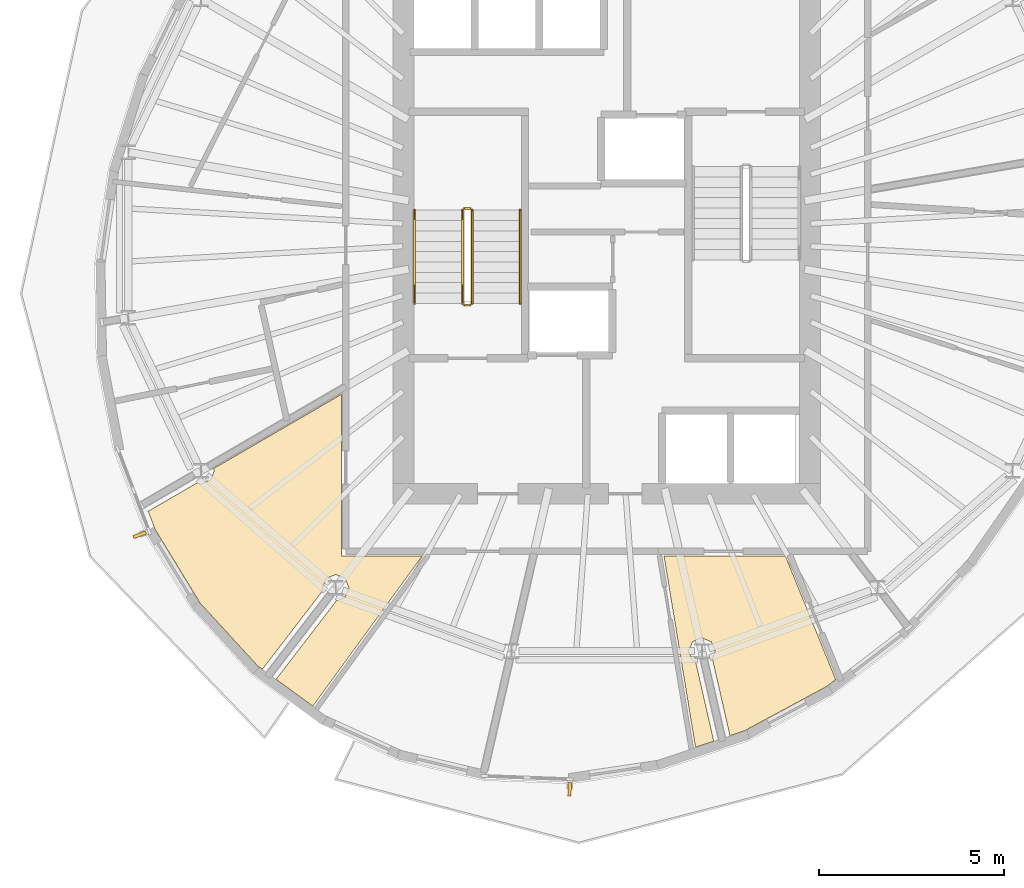
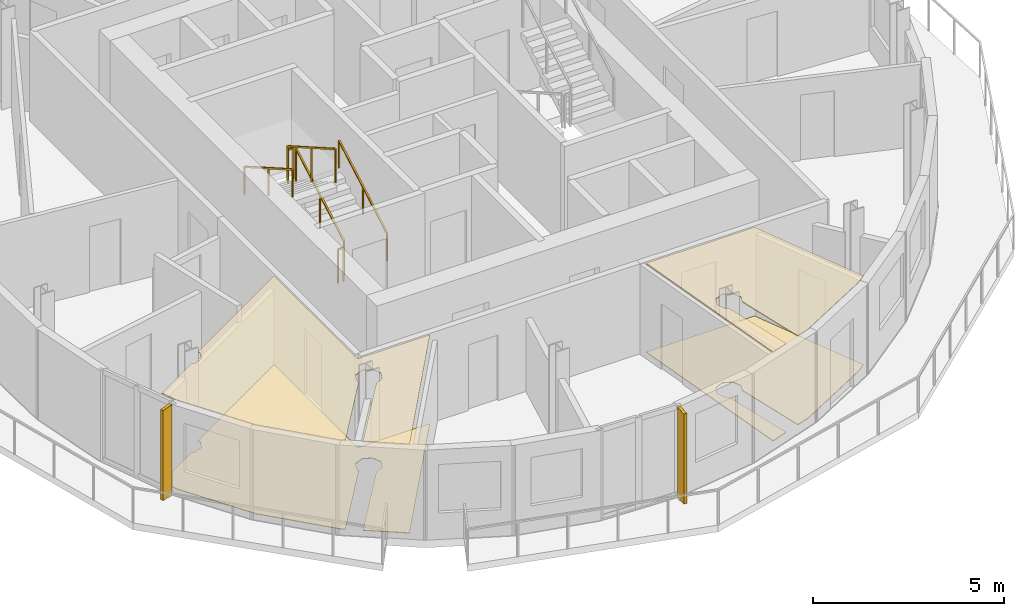
# One storey, part 8 of 11: 6 railings, 4 coverings, 2 shading devices.
"""IFC4 building model written with IfcOpenShell, lengths in metres."""

from ifc_helpers import new_model, si_unit, direction, frame, origin, origin_2d, place, context, subcontext, project, spatial, polyline, rectangle, outline, extrude, material, layer, layer_set, type_object, element, save


model = new_model("IFC4")

# Units and contexts
model_context = context("Model", 3, precision=1e-05, world=origin(), true_north=direction((0.0, 1.0)))
body_context = subcontext(model_context, "Body", "Model", "MODEL_VIEW")
ifc_project = project(units=[si_unit("LENGTHUNIT", "METRE"), si_unit("AREAUNIT", "SQUARE_METRE"), si_unit("VOLUMEUNIT", "CUBIC_METRE"), si_unit("PLANEANGLEUNIT", "RADIAN"), si_unit("MASSUNIT", "GRAM", prefix="KILO")], contexts=[model_context])

# Site, building, storey
site_placement = place(None, origin())
site = spatial("IfcSite", under=ifc_project, at=site_placement, CompositionType="ELEMENT")
building_placement = place(site_placement, origin())
building = spatial("IfcBuilding", under=site, at=building_placement, Name="Veldorim Arch Residences", CompositionType="ELEMENT")
storey_placement = place(building_placement, frame((0.0, 0.0, 239.840087890625)))
storey = spatial("IfcBuildingStorey", under=building, at=storey_placement, Name="L72", CompositionType="ELEMENT", Elevation=239.840087890625)

# Railings
ifc_material_1 = material(Name="Steel S355", Category="steel")
railing_type_1 = type_object("IfcRailingType", Name="Galvanised Steel Stair Safety Guardrail 1100", PredefinedType="GUARDRAIL", material=ifc_material_1)
railing_1_placement = place(storey_placement, frame((28.360107421875, 22.14990234375, 0.159912109375)))
element("IfcRailing", 1, at=railing_1_placement, inside=storey, type_object=railing_type_1, Name="L72 ST-1 stair guard 1", PredefinedType="GUARDRAIL", context=body_context, shape_type="SweptSolid", body=[
    extrude(rectangle(XDim=0.048095703125, YDim=0.048095703125, at=origin_2d()), frame((0.0, 0.0, 1.076171875), z_axis=(0.0, 0.868253494771, 0.496120820787), x_axis=(-1.0, 0.0, 0.0)), (0.0, 0.0, 1.0), 2.90234375),
    extrude(rectangle(XDim=0.0419921875, YDim=0.0419921875, at=origin_2d()), origin(), (0.0, 0.0, 1.0), 1.052001953125),
    extrude(rectangle(XDim=0.0419921875, YDim=0.0419921875, at=origin_2d()), frame((0.0, 1.260009765625, 0.719970703125)), (0.0, 0.0, 1.0), 1.052001953125),
    extrude(rectangle(XDim=0.0419921875, YDim=0.0419921875, at=origin_2d()), frame((0.0, 2.52001953125, 1.43994140625)), (0.0, 0.0, 1.0), 1.052001953125),
])
railing_2_placement = place(storey_placement, frame((28.31005859375, 24.719970703125, 1.599853515625)))
element("IfcRailing", 2, at=railing_2_placement, inside=storey, type_object=railing_type_1, Name="L72 ST-1 stair guard 2", PredefinedType="GUARDRAIL", context=body_context, shape_type="SweptSolid", body=[
    extrude(rectangle(XDim=0.048095703125, YDim=0.048095703125, at=origin_2d()), frame((0.0, 0.0, 1.076171875), z_axis=(-1.0, 0.0, 0.0), x_axis=(0.0, -1.0, 0.0)), (0.0, 0.0, 1.0), 0.16015625),
    extrude(rectangle(XDim=0.0419921875, YDim=0.0419921875, at=origin_2d()), origin(), (0.0, 0.0, 1.0), 1.052001953125),
    extrude(rectangle(XDim=0.0419921875, YDim=0.0419921875, at=origin_2d()), frame((-0.16015625, 0.0, 0.0)), (0.0, 0.0, 1.0), 1.052001953125),
])
railing_3_placement = place(storey_placement, frame((28.10009765625, 24.669921875, 1.760009765625)))
element("IfcRailing", 3, at=railing_3_placement, inside=storey, type_object=railing_type_1, Name="L72 ST-1 stair guard 3", PredefinedType="GUARDRAIL", context=body_context, shape_type="SweptSolid", body=[
    extrude(rectangle(XDim=0.048095703125, YDim=0.048095703125, at=origin_2d()), frame((0.0, 0.0, 1.076171875), z_axis=(0.0, -0.868253494771, 0.496120820787), x_axis=(1.0, 0.0, 0.0)), (0.0, 0.0, 1.0), 2.90234375),
    extrude(rectangle(XDim=0.0419921875, YDim=0.0419921875, at=origin_2d()), origin(), (0.0, 0.0, 1.0), 1.052001953125),
    extrude(rectangle(XDim=0.0419921875, YDim=0.0419921875, at=origin_2d()), frame((0.0, -1.260009765625, 0.719970703125)), (0.0, 0.0, 1.0), 1.052001953125),
    extrude(rectangle(XDim=0.0419921875, YDim=0.0419921875, at=origin_2d()), frame((0.0, -2.52001953125, 1.43994140625)), (0.0, 0.0, 1.0), 1.052001953125),
])
railing_4_placement = place(storey_placement, frame((28.31005859375, 22.10009765625, 0.0)))
element("IfcRailing", 4, at=railing_4_placement, inside=storey, type_object=railing_type_1, Name="L72 ST-1 stair guard 4", PredefinedType="GUARDRAIL", context=body_context, shape_type="SweptSolid", body=[
    extrude(rectangle(XDim=0.048095703125, YDim=0.048095703125, at=origin_2d()), frame((0.0, 0.0, 1.076171875), z_axis=(-1.0, 0.0, 0.0), x_axis=(0.0, -1.0, 0.0)), (0.0, 0.0, 1.0), 0.16015625),
    extrude(rectangle(XDim=0.0419921875, YDim=0.0419921875, at=origin_2d()), origin(), (0.0, 0.0, 1.0), 1.052001953125),
    extrude(rectangle(XDim=0.0419921875, YDim=0.0419921875, at=origin_2d()), frame((-0.16015625, 0.0, 0.0)), (0.0, 0.0, 1.0), 1.052001953125),
])

# Coverings
ifc_material_2 = material(Name="Acoustic Gypsum & Mineral Fibre", Category="gypsum")
ifc_layer_1 = layer(ifc_material_2, 0.034912109375, Name="Perforated Acoustic Mineral-Fibre Ceiling 35")
ifc_layer_set_1 = layer_set([ifc_layer_1], Name="Acoustic Gypsum & Mineral Fibre")
covering_type_1 = type_object("IfcCoveringType", Name="Perforated Acoustic Mineral-Fibre Ceiling 35", PredefinedType="CEILING", material=ifc_layer_set_1)
covering_1_placement = place(storey_placement, frame((0.0, 0.0, 2.824951171875)))
element("IfcCovering", 5, at=covering_1_placement, inside=storey, type_object=covering_type_1, Name="L72 acoustic suspended ceiling 01", PredefinedType="CEILING", context=body_context, shape_type="SweptSolid", body=[
    extrude(outline(polyline([(24.920654296875, 14.20068359375), (25.02587890625, 14.45458984375), (24.920654296875, 14.708740234375), (24.66650390625, 14.814208984375), (24.412353515625, 14.708740234375), (24.30712890625, 14.45458984375), (24.33154296875, 14.395751953125), (22.683349609375, 12.25048828125), (22.552734375, 12.345703125), (21.00146484375, 14.037841796875), (19.781982421875, 16.032958984375), (19.594970703125, 16.525634765625), (20.930419921875, 17.3017578125), (21.024658203125, 17.2626953125), (21.27880859375, 17.367919921875), (21.384033203125, 17.6220703125), (21.360595703125, 17.6787109375), (24.820068359375, 19.688720703125), (24.820068359375, 15.320068359375), (27.011962890625, 15.320068359375), (24.049560546875, 11.25390625), (23.0546875, 11.9794921875), (24.686279296875, 14.103515625), (24.920654296875, 14.20068359375)])), origin(), (0.0, 0.0, 1.0), 0.034912109375),
])
covering_2_placement = place(storey_placement, frame((0.0, 0.0, 2.824951171875)))
element("IfcCovering", 6, at=covering_2_placement, inside=storey, type_object=covering_type_1, Name="L72 acoustic suspended ceiling 02", PredefinedType="CEILING", context=body_context, shape_type="SweptSolid", body=[
    extrude(outline(polyline([(34.9345703125, 12.740478515625), (34.829345703125, 12.99462890625), (34.5751953125, 13.10009765625), (34.321044921875, 12.99462890625), (34.2158203125, 12.740478515625), (34.321044921875, 12.486572265625), (34.40576171875, 12.451416015625), (34.896484375, 10.30615234375), (34.40185546875, 10.139404296875), (33.549560546875, 15.320068359375), (36.832763671875, 15.320068359375), (38.1953125, 11.975341796875), (37.940185546875, 11.779052734375), (35.723388671875, 10.5849609375), (35.333984375, 10.45361328125), (34.85498046875, 12.548095703125), (34.9345703125, 12.740478515625)])), origin(), (0.0, 0.0, 1.0), 0.034912109375),
])
ifc_material_3 = material(Name="Porcelain Ceramic Tile", Category="ceramic")
ifc_layer_2 = layer(ifc_material_3, 0.02001953125, Name="Slip-Resistant Porcelain & Vinyl Floor Finish 20")
ifc_layer_set_2 = layer_set([ifc_layer_2], Name="Porcelain Ceramic Tile")
covering_type_2 = type_object("IfcCoveringType", Name="Slip-Resistant Porcelain & Vinyl Floor Finish 20", PredefinedType="FLOORING", material=ifc_layer_set_2)
covering_3_placement = place(storey_placement, origin())
element("IfcCovering", 7, at=covering_3_placement, inside=storey, type_object=covering_type_2, Name="L72 porcelain floor finish 01", PredefinedType="FLOORING", context=body_context, shape_type="SweptSolid", body=[
    extrude(outline(polyline([(24.920654296875, 14.20068359375), (25.02587890625, 14.45458984375), (24.920654296875, 14.708740234375), (24.66650390625, 14.814208984375), (24.412353515625, 14.708740234375), (24.30712890625, 14.45458984375), (24.33154296875, 14.395751953125), (22.683349609375, 12.25048828125), (22.552734375, 12.345703125), (21.00146484375, 14.037841796875), (19.781982421875, 16.032958984375), (19.594970703125, 16.525634765625), (20.930419921875, 17.3017578125), (21.024658203125, 17.2626953125), (21.27880859375, 17.367919921875), (21.384033203125, 17.6220703125), (21.360595703125, 17.6787109375), (24.820068359375, 19.688720703125), (24.820068359375, 15.320068359375), (27.011962890625, 15.320068359375), (24.049560546875, 11.25390625), (23.0546875, 11.9794921875), (24.686279296875, 14.103515625), (24.920654296875, 14.20068359375)])), origin(), (0.0, 0.0, 1.0), 0.02001953125),
])
covering_4_placement = place(storey_placement, origin())
element("IfcCovering", 8, at=covering_4_placement, inside=storey, type_object=covering_type_2, Name="L72 porcelain floor finish 02", PredefinedType="FLOORING", context=body_context, shape_type="SweptSolid", body=[
    extrude(outline(polyline([(34.9345703125, 12.740478515625), (34.829345703125, 12.99462890625), (34.5751953125, 13.10009765625), (34.321044921875, 12.99462890625), (34.2158203125, 12.740478515625), (34.321044921875, 12.486572265625), (34.40576171875, 12.451416015625), (34.896484375, 10.30615234375), (34.40185546875, 10.139404296875), (33.549560546875, 15.320068359375), (36.832763671875, 15.320068359375), (38.1953125, 11.975341796875), (37.940185546875, 11.779052734375), (35.723388671875, 10.5849609375), (35.333984375, 10.45361328125), (34.85498046875, 12.548095703125), (34.9345703125, 12.740478515625)])), origin(), (0.0, 0.0, 1.0), 0.02001953125),
])

# Railings
ifc_material_4 = material(Name="Stainless Steel", Category="steel")
railing_type_2 = type_object("IfcRailingType", Name="Tubular Steel Continuous Wall Handrail 900", PredefinedType="HANDRAIL", material=ifc_material_4)
railing_5_placement = place(storey_placement, frame((29.659912109375, 22.14990234375, 0.159912109375)))
element("IfcRailing", 9, at=railing_5_placement, inside=storey, type_object=railing_type_2, Name="L72 ST-1 stair handrail 1", PredefinedType="HANDRAIL", context=body_context, shape_type="SweptSolid", body=[
    extrude(rectangle(XDim=0.048095703125, YDim=0.048095703125, at=origin_2d()), frame((0.0, 0.0, 0.8759765625), z_axis=(0.0, 0.868253494771, 0.496120820787), x_axis=(-1.0, 0.0, 0.0)), (0.0, 0.0, 1.0), 2.90234375),
    extrude(rectangle(XDim=0.0419921875, YDim=0.0419921875, at=origin_2d()), origin(), (0.0, 0.0, 1.0), 0.851806640625),
    extrude(rectangle(XDim=0.0419921875, YDim=0.0419921875, at=origin_2d()), frame((0.0, 1.260009765625, 0.719970703125)), (0.0, 0.0, 1.0), 0.851806640625),
    extrude(rectangle(XDim=0.0419921875, YDim=0.0419921875, at=origin_2d()), frame((0.0, 2.52001953125, 1.43994140625)), (0.0, 0.0, 1.0), 0.851806640625),
])
railing_6_placement = place(storey_placement, frame((26.800048828125, 24.669921875, 1.760009765625)))
element("IfcRailing", 10, at=railing_6_placement, inside=storey, type_object=railing_type_2, Name="L72 ST-1 stair handrail 2", PredefinedType="HANDRAIL", context=body_context, shape_type="SweptSolid", body=[
    extrude(rectangle(XDim=0.048095703125, YDim=0.048095703125, at=origin_2d()), frame((0.0, 0.0, 0.8759765625), z_axis=(0.0, -0.868253494771, 0.496120820787), x_axis=(1.0, 0.0, 0.0)), (0.0, 0.0, 1.0), 2.90234375),
    extrude(rectangle(XDim=0.0419921875, YDim=0.0419921875, at=origin_2d()), origin(), (0.0, 0.0, 1.0), 0.851806640625),
    extrude(rectangle(XDim=0.0419921875, YDim=0.0419921875, at=origin_2d()), frame((0.0, -1.260009765625, 0.719970703125)), (0.0, 0.0, 1.0), 0.851806640625),
    extrude(rectangle(XDim=0.0419921875, YDim=0.0419921875, at=origin_2d()), frame((0.0, -2.52001953125, 1.43994140625)), (0.0, 0.0, 1.0), 0.851806640625),
])

# Shading devices
ifc_material_5 = material(Name="Terracotta Ceramic", Category="masonry")
ifc_layer_3 = layer(ifc_material_5, 0.090087890625, Name="Vertical Extruded Terracotta Baguette Sun-Shading Fin")
ifc_layer_set_3 = layer_set([ifc_layer_3], Name="Terracotta Ceramic")
shading_device_type = type_object("IfcShadingDeviceType", Name="Vertical Extruded Terracotta Baguette Sun-Shading Fin", PredefinedType="USERDEFINED", material=ifc_layer_set_3)
for number, where, z_axis, x_axis, name in (
    (11, (19.363525390625, 15.888427734375, 0.0), (0.0, 0.0, 1.0), (-0.354943799141, 0.934887640014, 0.0), "L72 vertical terracotta sun-shading fin 15"),
    (12, (30.99658203125, 9.004638671875, 0.0), (0.0, 0.0, 1.0), (-0.999289472641, 0.03769018267, 0.0), "L72 vertical terracotta sun-shading fin 21"),
):
    element("IfcShadingDevice", number, at=place(storey_placement, frame(where, z_axis=z_axis, x_axis=x_axis)), inside=storey, type_object=shading_device_type, Name=name, ObjectType="FIN", PredefinedType="USERDEFINED", context=body_context, shape_type="SweptSolid", body=[
        extrude(rectangle(XDim=0.090087890625, YDim=0.360107421875, at=origin_2d()), origin(), (0.0, 0.0, 1.0), 2.8798828125),
    ])

save(model, "model.ifc")
